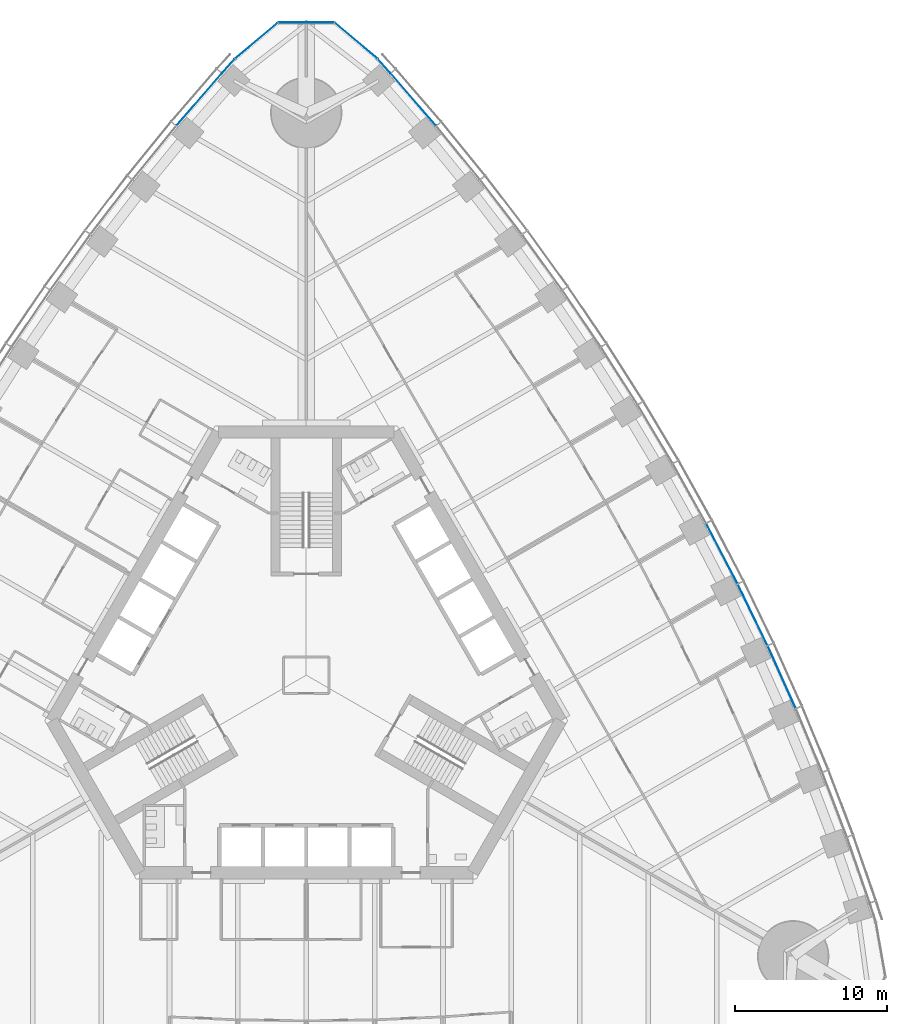
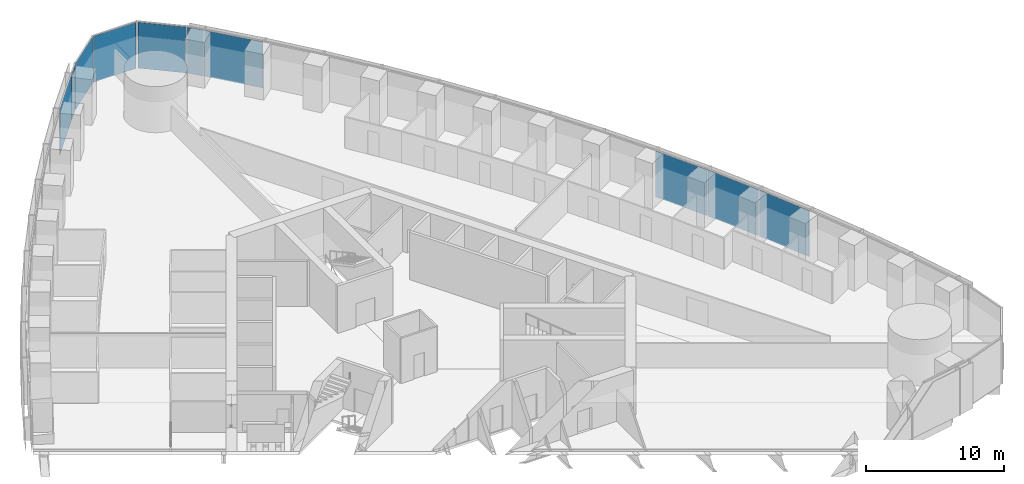
# One storey, part 9 of 18: 10 plates, 3 elements without a shape of their own.
"""IFC4 building model written with IfcOpenShell, lengths in metres."""

from ifc_helpers import new_model, si_unit, direction, frame, origin, origin_2d, place, context, subcontext, project, spatial, rectangle, extrude, material, layer, layer_set, type_object, element, aggregate, save


model = new_model("IFC4")

# Units and contexts
model_context = context("Model", 3, precision=1e-05, world=origin(), true_north=direction((0.0, 1.0)))
body_context = subcontext(model_context, "Body", "Model", "MODEL_VIEW")
ifc_project = project(units=[si_unit("LENGTHUNIT", "METRE"), si_unit("AREAUNIT", "SQUARE_METRE"), si_unit("VOLUMEUNIT", "CUBIC_METRE"), si_unit("PLANEANGLEUNIT", "RADIAN"), si_unit("MASSUNIT", "GRAM", prefix="KILO")], contexts=[model_context])

# Site, building, storey
site_placement = place(None, origin())
site = spatial("IfcSite", under=ifc_project, at=site_placement, CompositionType="ELEMENT")
building_placement = place(site_placement, origin())
building = spatial("IfcBuilding", under=site, at=building_placement, Name="Trefoil Bronze Tower", CompositionType="ELEMENT")
storey_placement = place(building_placement, frame((0.0, 0.0, 41.699951171875)))
storey = spatial("IfcBuildingStorey", under=building, at=storey_placement, Name="L09", CompositionType="ELEMENT", Elevation=41.699951171875)

# Curtain wall, plates
ifc_material_1 = material(Name="Tinted solar-control glass", Category="glass")
curtain_wall_type_1 = type_object("IfcCurtainWallType", Name="Bronze office curtain wall", PredefinedType="USERDEFINED", material=ifc_material_1)
curtain_wall_1_placement = place(storey_placement, origin())
curtain_wall_1 = element("IfcCurtainWall", 1, at=curtain_wall_1_placement, inside=storey, type_object=curtain_wall_type_1, Name="CW-A L09 F2", ObjectType="CURTAIN WALL", PredefinedType="USERDEFINED")
ifc_material_2 = material(Name="Tinted solar-control glass", Category="glass")
ifc_layer_1 = layer(ifc_material_2, 0.030029296875)
ifc_layer_set_1 = layer_set([ifc_layer_1], Name="Bronze office curtain wall glass panel")
plate_type_1 = type_object("IfcPlateType", Name="Bronze office curtain wall glass panel", PredefinedType="CURTAIN_PANEL", material=ifc_layer_set_1)
plate_1_placement = place(storey_placement, frame((31.28857421875, -0.1337890625, 0.0), z_axis=(0.0, 0.0, 1.0), x_axis=(-0.40945635808, 0.912329705111, 0.0)))
plate_1 = element("IfcPlate", 2, at=plate_1_placement, type_object=plate_type_1, Name="CW-A L09 F2 panel 5", PredefinedType="CURTAIN_PANEL", context=body_context, shape_type="SweptSolid", body=[
    extrude(rectangle(XDim=4.443359375, YDim=0.030029296875, at=origin_2d()), origin(), (0.0, 0.0, 1.0), 4.080078125),
])
plate_2_placement = place(storey_placement, frame((29.3779296875, 3.962646484375, 0.0), z_axis=(0.0, 0.0, 1.0), x_axis=(-0.4358553457, 0.900016731858, 0.0)))
plate_2 = element("IfcPlate", 3, at=plate_2_placement, type_object=plate_type_1, Name="CW-A L09 F2 panel 6", PredefinedType="CURTAIN_PANEL", context=body_context, shape_type="SweptSolid", body=[
    extrude(rectangle(XDim=4.431884765625, YDim=0.030029296875, at=origin_2d()), origin(), (0.0, 0.0, 1.0), 4.080078125),
])
plate_3_placement = place(storey_placement, frame((27.353271484375, 7.9931640625, 0.0), z_axis=(0.0, 0.0, 1.0), x_axis=(-0.46182981834, 0.886968555752, 0.0)))
plate_3 = element("IfcPlate", 4, at=plate_3_placement, type_object=plate_type_1, Name="CW-A L09 F2 panel 7", PredefinedType="CURTAIN_PANEL", context=body_context, shape_type="SweptSolid", body=[
    extrude(rectangle(XDim=4.42431640625, YDim=0.030029296875, at=origin_2d()), origin(), (0.0, 0.0, 1.0), 4.080078125),
])
plate_4_placement = place(storey_placement, frame((7.056396484375, 37.870849609375, 0.0), z_axis=(0.0, 0.0, 1.0), x_axis=(-0.654376090833, 0.756169248083, 0.0)))
plate_4 = element("IfcPlate", 5, at=plate_4_placement, type_object=plate_type_1, Name="CW-A L09 F2 panel 15", PredefinedType="CURTAIN_PANEL", context=body_context, shape_type="SweptSolid", body=[
    extrude(rectangle(XDim=4.502197265625, YDim=0.030029296875, at=origin_2d()), origin(), (0.0, 0.0, 1.0), 4.080078125),
])
plate_5_placement = place(storey_placement, frame((5.12451171875, 40.08447265625, 0.0), z_axis=(0.0, 0.0, 1.0), x_axis=(-0.668575006272, 0.743644714221, 0.0)))
plate_5 = element("IfcPlate", 6, at=plate_5_placement, type_object=plate_type_1, Name="CW-A L09 F2 panel 16", PredefinedType="CURTAIN_PANEL", context=body_context, shape_type="SweptSolid", body=[
    extrude(rectangle(XDim=1.21044921875, YDim=0.030029296875, at=origin_2d()), origin(), (0.0, 0.0, 1.0), 4.080078125),
])
aggregate(curtain_wall_1, [plate_1, plate_2, plate_3, plate_4, plate_5])

curtain_wall_2_placement = place(storey_placement, origin())
curtain_wall_2 = element("IfcCurtainWall", 7, at=curtain_wall_2_placement, inside=storey, type_object=curtain_wall_type_1, Name="CW-A L09 F3", ObjectType="CURTAIN WALL", PredefinedType="USERDEFINED")
plate_6_placement = place(storey_placement, frame((-5.12451171875, 40.08447265625, 0.0), z_axis=(0.0, 0.0, 1.0), x_axis=(-0.668575006272, -0.743644714221, 0.0)))
plate_6 = element("IfcPlate", 8, at=plate_6_placement, type_object=plate_type_1, Name="CW-A L09 F3 panel 1", PredefinedType="CURTAIN_PANEL", context=body_context, shape_type="SweptSolid", body=[
    extrude(rectangle(XDim=1.21044921875, YDim=0.030029296875, at=origin_2d()), origin(), (0.0, 0.0, 1.0), 4.080078125),
])
plate_7_placement = place(storey_placement, frame((-7.056396484375, 37.870849609375, 0.0), z_axis=(0.0, 0.0, 1.0), x_axis=(-0.654376090833, -0.756169248083, 0.0)))
plate_7 = element("IfcPlate", 9, at=plate_7_placement, type_object=plate_type_1, Name="CW-A L09 F3 panel 2", PredefinedType="CURTAIN_PANEL", context=body_context, shape_type="SweptSolid", body=[
    extrude(rectangle(XDim=4.502197265625, YDim=0.030029296875, at=origin_2d()), origin(), (0.0, 0.0, 1.0), 4.080078125),
])
aggregate(curtain_wall_2, [plate_6, plate_7])

ifc_material_3 = material(Name="Tinted solar-control glass", Category="glass")
curtain_wall_type_2 = type_object("IfcCurtainWallType", Name="Bronze rounded corner curtain wall", PredefinedType="USERDEFINED", material=ifc_material_3)
curtain_wall_3_placement = place(storey_placement, origin())
curtain_wall_3 = element("IfcCurtainWall", 10, at=curtain_wall_3_placement, inside=storey, type_object=curtain_wall_type_2, Name="CW-B L09 K2", ObjectType="CURTAIN WALL", PredefinedType="USERDEFINED")
ifc_material_4 = material(Name="Tinted solar-control glass", Category="glass")
ifc_layer_2 = layer(ifc_material_4, 0.030029296875)
ifc_layer_set_2 = layer_set([ifc_layer_2], Name="Bronze rounded corner curtain wall glass panel")
plate_type_2 = type_object("IfcPlateType", Name="Bronze rounded corner curtain wall glass panel", PredefinedType="CURTAIN_PANEL", material=ifc_layer_set_2)
plate_8_placement = place(storey_placement, frame((3.28564453125, 41.74658203125, 0.0), z_axis=(0.0, 0.0, 1.0), x_axis=(-0.766044443119, 0.642787609687, 0.0)))
plate_8 = element("IfcPlate", 11, at=plate_8_placement, type_object=plate_type_2, Name="CW-B L09 K2 panel 1", PredefinedType="CURTAIN_PANEL", context=body_context, shape_type="SweptSolid", body=[
    extrude(rectangle(XDim=3.588134765625, YDim=0.030029296875, at=origin_2d()), origin(), (0.0, 0.0, 1.0), 4.080078125),
])
plate_9_placement = place(storey_placement, frame((0.0, 42.9423828125, 0.0), z_axis=(0.0, 0.0, 1.0), x_axis=(-1.0, 0.0, 0.0)))
plate_9 = element("IfcPlate", 12, at=plate_9_placement, type_object=plate_type_2, Name="CW-B L09 K2 panel 2", PredefinedType="CURTAIN_PANEL", context=body_context, shape_type="SweptSolid", body=[
    extrude(rectangle(XDim=3.588134765625, YDim=0.030029296875, at=origin_2d()), origin(), (0.0, 0.0, 1.0), 4.080078125),
])
plate_10_placement = place(storey_placement, frame((-3.28564453125, 41.74658203125, 0.0), z_axis=(0.0, 0.0, 1.0), x_axis=(-0.766044443119, -0.642787609687, 0.0)))
plate_10 = element("IfcPlate", 13, at=plate_10_placement, type_object=plate_type_2, Name="CW-B L09 K2 panel 3", PredefinedType="CURTAIN_PANEL", context=body_context, shape_type="SweptSolid", body=[
    extrude(rectangle(XDim=3.588134765625, YDim=0.030029296875, at=origin_2d()), origin(), (0.0, 0.0, 1.0), 4.080078125),
])
aggregate(curtain_wall_3, [plate_8, plate_9, plate_10])

save(model, "model.ifc")
